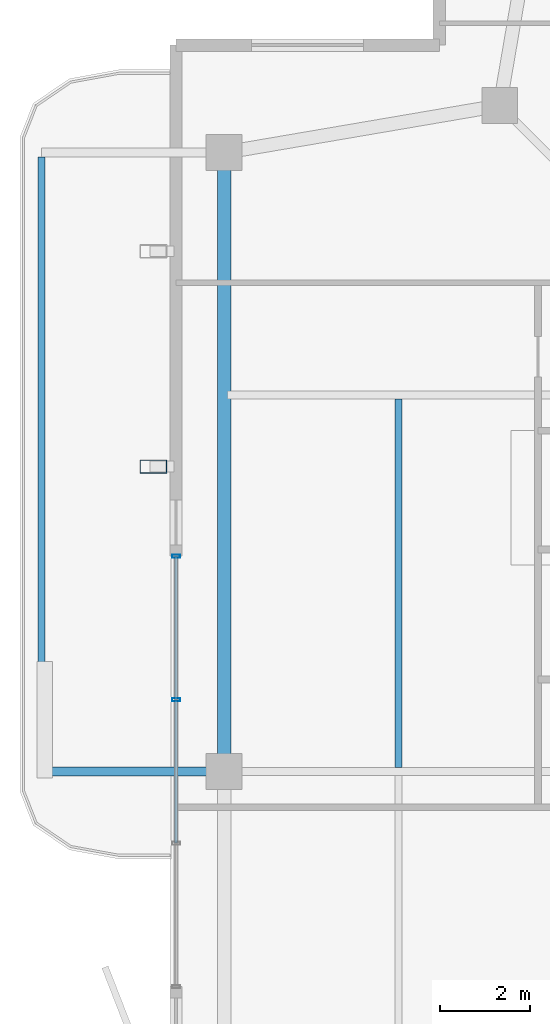
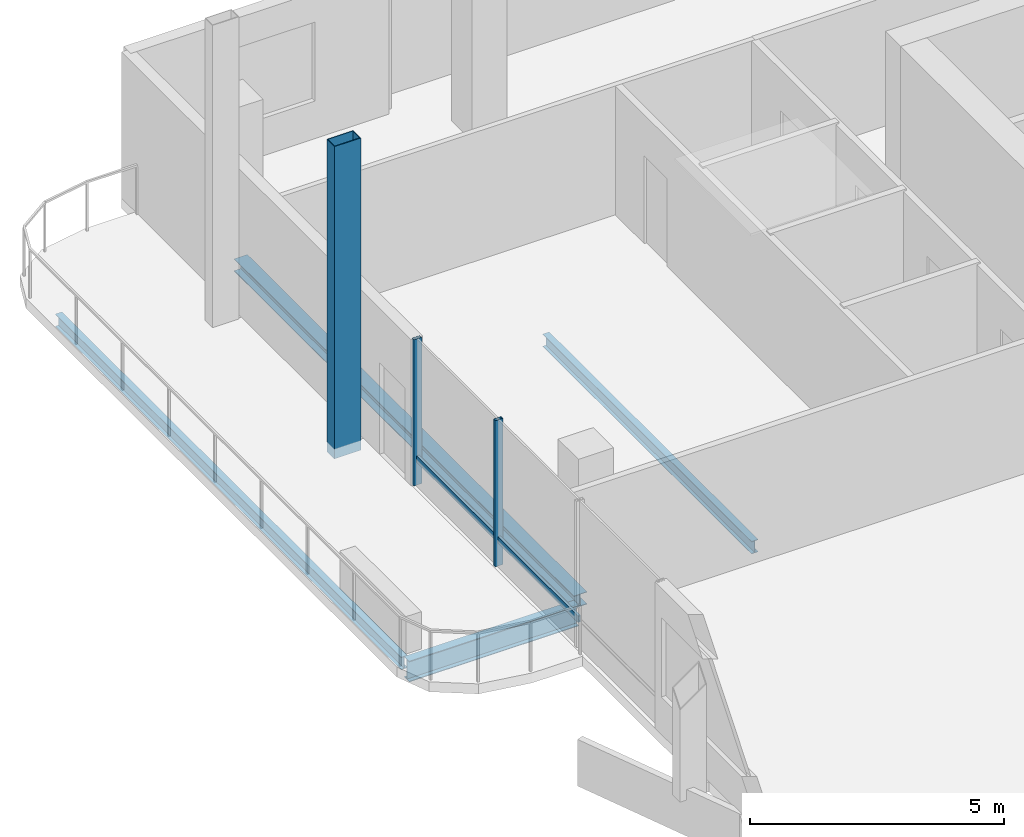
# One storey, part 7 of 22: 5 members, 4 beams, 1 element without a shape of its own.
"""IFC4 building model written with IfcOpenShell, lengths in metres."""

from ifc_helpers import new_model, si_unit, direction, frame, origin, origin_2d, place, context, subcontext, project, spatial, hollow_rectangle, i_section, extrude, material, layer, layer_set, material_profile, profile_set, type_object, element, aggregate, save


model = new_model("IFC4")

# Units and contexts
model_context = context("Model", 3, precision=1e-05, world=origin(), true_north=direction((0.0, 1.0)))
body_context = subcontext(model_context, "Body", "Model", "MODEL_VIEW")
ifc_project = project(units=[si_unit("LENGTHUNIT", "METRE"), si_unit("AREAUNIT", "SQUARE_METRE"), si_unit("VOLUMEUNIT", "CUBIC_METRE"), si_unit("PLANEANGLEUNIT", "RADIAN"), si_unit("MASSUNIT", "GRAM", prefix="KILO")], contexts=[model_context])

# Site, building, storey
site_placement = place(None, origin())
site = spatial("IfcSite", under=ifc_project, at=site_placement, CompositionType="ELEMENT")
building_placement = place(site_placement, origin())
building = spatial("IfcBuilding", under=site, at=building_placement, Name="Belovzor Exchange Tower", CompositionType="ELEMENT")
storey_placement = place(building_placement, frame((0.0, 0.0, 336.75)))
storey = spatial("IfcBuildingStorey", under=building, at=storey_placement, Name="L84", CompositionType="ELEMENT", Elevation=336.75)

# Beams
ifc_material_1 = material(Name="Steel S355", Category="steel")
ifc_material_profile_1 = material_profile(ifc_material_1, i_section(OverallWidth=0.199951171875, OverallDepth=0.5, WebThickness=0.01025390625, FlangeThickness=0.01611328125, at=origin_2d()))
ifc_profile_set_1 = profile_set([ifc_material_profile_1], Name="Steel S355")
beam_type_1 = type_object("IfcBeamType", Name="Planted Balcony Cantilever Beam IPE 500", PredefinedType="BEAM", material=ifc_profile_set_1)
beam_1_placement = place(storey_placement, frame((7.580078125, 28.800048828125, -0.489990234375), z_axis=(-1.0, 0.0, 0.0), x_axis=(0.0, -1.0, 0.0)))
element("IfcBeam", 1, at=beam_1_placement, inside=storey, type_object=beam_type_1, Name="BC-500 Planted Balcony Cantilever Beam IPE 500", PredefinedType="BEAM", context=body_context, shape_type="SweptSolid", body=[
    extrude(i_section(OverallWidth=0.199951171875, OverallDepth=0.5, WebThickness=0.01025390625, FlangeThickness=0.01611328125, at=origin_2d()), origin(), (0.0, 0.0, 1.0), 3.85009765625),
])
ifc_material_2 = material(Name="Steel S355", Category="steel")
ifc_material_profile_2 = material_profile(ifc_material_2, i_section(OverallWidth=0.14990234375, OverallDepth=0.300048828125, WebThickness=0.007080078125, FlangeThickness=0.0107421875, at=origin_2d()))
ifc_profile_set_2 = profile_set([ifc_material_profile_2], Name="Steel S355")
beam_type_2 = type_object("IfcBeamType", Name="Planted Balcony Fascia Edge Beam IPE 300", PredefinedType="BEAM", material=ifc_profile_set_2)
beam_2_placement = place(storey_placement, frame((3.72998046875, 42.5, -0.389892578125), z_axis=(0.0, -1.0, 0.0), x_axis=(1.0, 0.0, 0.0)))
element("IfcBeam", 2, at=beam_2_placement, inside=storey, type_object=beam_type_2, Name="BC-300 Planted Balcony Fascia Edge Beam IPE 300", PredefinedType="BEAM", context=body_context, shape_type="SweptSolid", body=[
    extrude(i_section(OverallWidth=0.14990234375, OverallDepth=0.300048828125, WebThickness=0.007080078125, FlangeThickness=0.0107421875, at=origin_2d()), origin(), (0.0, 0.0, 1.0), 13.60009765625),
])
ifc_material_3 = material(Name="Steel S355", Category="steel")
ifc_material_profile_3 = material_profile(ifc_material_3, i_section(OverallWidth=0.14990234375, OverallDepth=0.300048828125, WebThickness=0.007080078125, FlangeThickness=0.0107421875, at=origin_2d()))
ifc_profile_set_3 = profile_set([ifc_material_profile_3], Name="Steel S355")
beam_type_3 = type_object("IfcBeamType", Name="Secondary Trim Floor Joist IPE 300", PredefinedType="BEAM", material=ifc_profile_set_3)
beam_3_placement = place(storey_placement, frame((11.69091796875, 28.889892578125, -0.389892578125), z_axis=(0.0, 1.0, 0.0), x_axis=(-1.0, 0.0, 0.0)))
element("IfcBeam", 3, at=beam_3_placement, inside=storey, type_object=beam_type_3, Name="FJ-300 Secondary Trim Floor Joist IPE 300", PredefinedType="BEAM", context=body_context, shape_type="SweptSolid", body=[
    extrude(i_section(OverallWidth=0.14990234375, OverallDepth=0.300048828125, WebThickness=0.007080078125, FlangeThickness=0.0107421875, at=origin_2d()), origin(), (0.0, 0.0, 1.0), 8.22021484375),
])

# Curtain wall, members
ifc_material_4 = material(Name="Anodised Aluminium Framing", Category="aluminium")
ifc_layer = layer(ifc_material_4, 0.179931640625)
ifc_layer_set = layer_set([ifc_layer], Name="Anodised Aluminium Framing")
curtain_wall_type = type_object("IfcCurtainWallType", Name="Recessed Loggia Low-Iron Triple-Glazed Curtain Wall", PredefinedType="NOTDEFINED", material=ifc_layer_set)
curtain_wall_placement = place(storey_placement, origin())
curtain_wall = element("IfcCurtainWall", 4, at=curtain_wall_placement, inside=storey, type_object=curtain_wall_type, Name="CW3 Recessed Loggia Low-Iron Triple-Glazed Curtain Wall L84", PredefinedType="NOTDEFINED")
ifc_material_5 = material(Name="Steel S355", Category="steel")
ifc_material_profile_4 = material_profile(ifc_material_5, hollow_rectangle(XDim=0.074951171875, YDim=0.179931640625, WallThickness=0.0048828125, at=origin_2d()))
ifc_profile_set_4 = profile_set([ifc_material_profile_4], Name="Steel S355")
member_type_1 = type_object("IfcMemberType", Name="Thermally Broken Curtain Wall Mullion 180x75", PredefinedType="MULLION", material=ifc_profile_set_4)
member_1_placement = place(storey_placement, frame((6.72998046875, 30.39990234375, 0.0), z_axis=(0.0, 0.0, 1.0), x_axis=(0.0, 1.0, 0.0)))
member_1 = element("IfcMember", 5, at=member_1_placement, type_object=member_type_1, Name="CW-M180 Curtain Wall Mullion 3", PredefinedType="MULLION", context=body_context, shape_type="SweptSolid", body=[
    extrude(hollow_rectangle(XDim=0.074951171875, YDim=0.179931640625, WallThickness=0.0048828125, at=origin_2d()), origin(), (0.0, 0.0, 1.0), 3.510009765625),
])
member_2_placement = place(storey_placement, frame((6.72998046875, 33.60009765625, 0.0), z_axis=(0.0, 0.0, 1.0), x_axis=(0.0, 1.0, 0.0)))
member_2 = element("IfcMember", 6, at=member_2_placement, type_object=member_type_1, Name="CW-M180 Curtain Wall Mullion 4", PredefinedType="MULLION", context=body_context, shape_type="SweptSolid", body=[
    extrude(hollow_rectangle(XDim=0.074951171875, YDim=0.179931640625, WallThickness=0.0048828125, at=origin_2d()), origin(), (0.0, 0.0, 1.0), 3.510009765625),
])
ifc_material_6 = material(Name="Steel S355", Category="steel")
ifc_material_profile_5 = material_profile(ifc_material_6, hollow_rectangle(XDim=0.06005859375, YDim=0.14990234375, WallThickness=0.00390625, at=origin_2d()))
ifc_profile_set_5 = profile_set([ifc_material_profile_5], Name="Steel S355")
member_type_2 = type_object("IfcMemberType", Name="Thermally Broken Curtain Wall Transom 150x60", PredefinedType="USERDEFINED", material=ifc_profile_set_5)
member_3_placement = place(storey_placement, frame((6.72998046875, 27.2080078125, 0.632080078125), z_axis=(0.0, 1.0, 0.0), x_axis=(-1.0, 0.0, 0.0)))
member_3 = element("IfcMember", 7, at=member_3_placement, type_object=member_type_2, Name="CW-T150 Curtain Wall Transom 2", ObjectType="TRANSOM", PredefinedType="USERDEFINED", context=body_context, shape_type="SweptSolid", body=[
    extrude(hollow_rectangle(XDim=0.06005859375, YDim=0.14990234375, WallThickness=0.00390625, at=origin_2d()), origin(), (0.0, 0.0, 1.0), 3.18408203125),
])
member_4_placement = place(storey_placement, frame((6.72998046875, 30.407958984375, 0.632080078125), z_axis=(0.0, 1.0, 0.0), x_axis=(-1.0, 0.0, 0.0)))
member_4 = element("IfcMember", 8, at=member_4_placement, type_object=member_type_2, Name="CW-T150 Curtain Wall Transom 3", ObjectType="TRANSOM", PredefinedType="USERDEFINED", context=body_context, shape_type="SweptSolid", body=[
    extrude(hollow_rectangle(XDim=0.06005859375, YDim=0.14990234375, WallThickness=0.00390625, at=origin_2d()), origin(), (0.0, 0.0, 1.0), 3.18408203125),
])
aggregate(curtain_wall, [member_1, member_2, member_3, member_4])

# Member
ifc_material_7 = material(Name="Extruded Architectural Terracotta on Steel S355 Carrier", Category="masonry")
ifc_material_profile_6 = material_profile(ifc_material_7, hollow_rectangle(XDim=0.300048828125, YDim=0.60009765625, WallThickness=0.01611328125, at=origin_2d()))
ifc_profile_set_6 = profile_set([ifc_material_profile_6], Name="Extruded Architectural Terracotta on Steel S355 Carrier")
member_type_3 = type_object("IfcMemberType", Name="Upper Crown Terracotta Fin Assembly 550", PredefinedType="USERDEFINED", material=ifc_profile_set_6)
member_5_placement = place(storey_placement, frame((6.22509765625, 35.60009765625, -0.239990234375), z_axis=(0.0, 0.0, 1.0), x_axis=(0.0, 1.0, 0.0)))
element("IfcMember", 9, at=member_5_placement, inside=storey, type_object=member_type_3, Name="FIN-TC055 Terracotta Facade Fin L84 W3", ObjectType="FIN", PredefinedType="USERDEFINED", context=body_context, shape_type="SweptSolid", body=[
    extrude(hollow_rectangle(XDim=0.300048828125, YDim=0.60009765625, WallThickness=0.01611328125, at=origin_2d()), origin(), (0.0, 0.0, 1.0), 7.5),
])

# Beam
ifc_material_8 = material(Name="Steel S355", Category="steel")
ifc_material_profile_7 = material_profile(ifc_material_8, i_section(OverallWidth=0.300048828125, OverallDepth=0.300048828125, WebThickness=0.008544921875, FlangeThickness=0.013916015625, at=origin_2d()))
ifc_profile_set_7 = profile_set([ifc_material_profile_7], Name="Steel S355")
beam_type_4 = type_object("IfcBeamType", Name="Zone 6 Primary Girder HEA 300", PredefinedType="BEAM", material=ifc_profile_set_7)
beam_4_placement = place(storey_placement, frame((7.800048828125, 42.3798828125, -0.389892578125), z_axis=(0.0, -1.0, 0.0), x_axis=(1.0, 0.0, 0.0)))
element("IfcBeam", 10, at=beam_4_placement, inside=storey, type_object=beam_type_4, Name="FG-Z6 Zone 6 Primary Girder HEA 300", PredefinedType="BEAM", context=body_context, shape_type="SweptSolid", body=[
    extrude(i_section(OverallWidth=0.300048828125, OverallDepth=0.300048828125, WebThickness=0.008544921875, FlangeThickness=0.013916015625, at=origin_2d()), origin(), (0.0, 0.0, 1.0), 13.35986328125),
])

save(model, "model.ifc")
